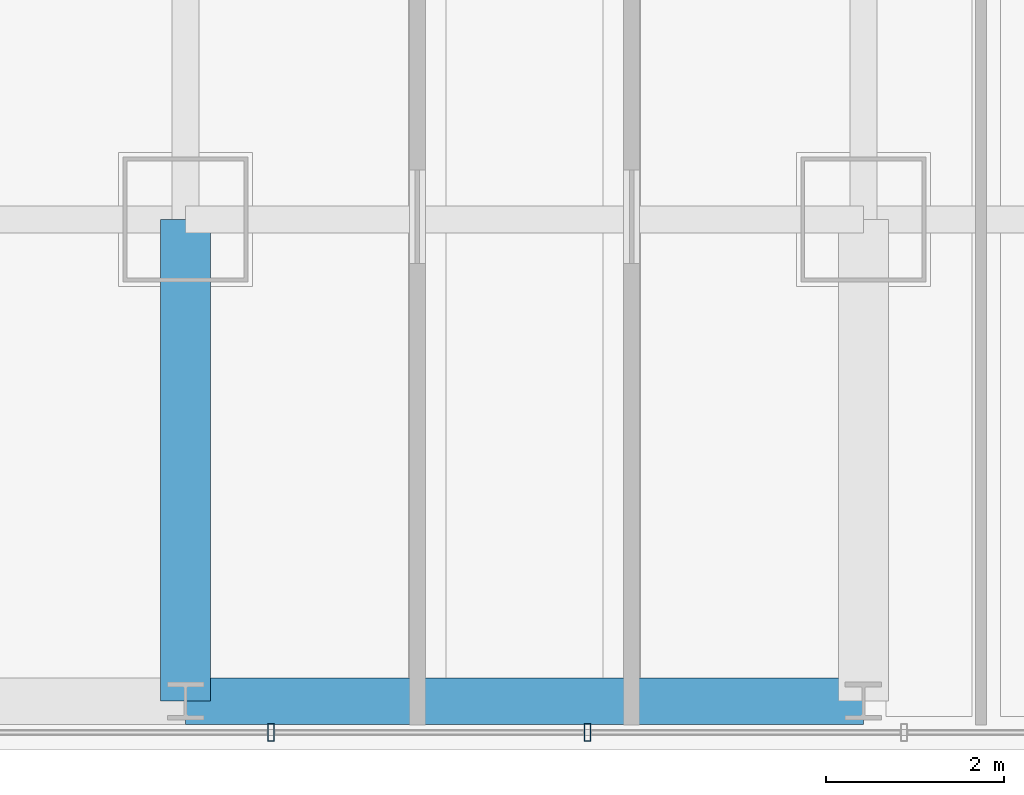
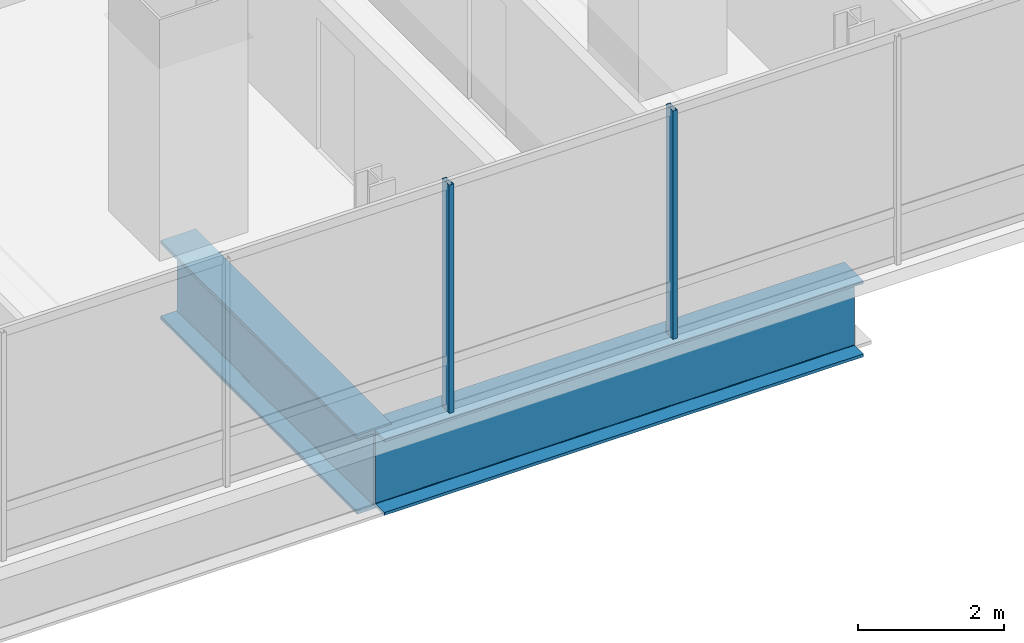
# One storey, part 5 of 36: 2 beams, 2 members, 1 element without a shape of its own.
"""IFC4 building model written with IfcOpenShell, lengths in metres."""

from ifc_helpers import new_model, si_unit, direction, frame, origin, origin_2d, place, context, subcontext, project, spatial, hollow_rectangle, i_section, extrude, material, material_profile, profile_set, type_object, element, aggregate, save


model = new_model("IFC4")

# Units and contexts
model_context = context("Model", 3, precision=1e-05, world=origin(), true_north=direction((0.0, 1.0)))
body_context = subcontext(model_context, "Body", "Model", "MODEL_VIEW")
ifc_project = project(units=[si_unit("LENGTHUNIT", "METRE"), si_unit("AREAUNIT", "SQUARE_METRE"), si_unit("VOLUMEUNIT", "CUBIC_METRE"), si_unit("PLANEANGLEUNIT", "RADIAN"), si_unit("MASSUNIT", "GRAM", prefix="KILO")], contexts=[model_context])

# Site, building, storey
site_placement = place(None, origin())
site = spatial("IfcSite", under=ifc_project, at=site_placement, CompositionType="ELEMENT")
building_placement = place(site_placement, origin())
building = spatial("IfcBuilding", under=site, at=building_placement, Name="Punatoya Terracotta Tower", CompositionType="ELEMENT")
storey_placement = place(building_placement, frame((0.0, 0.0, 228.89990234375)))
storey = spatial("IfcBuildingStorey", under=building, at=storey_placement, Name="L54", CompositionType="ELEMENT", Elevation=228.89990234375)

# Beams
ifc_material_1 = material(Name="Steel S460", Category="steel")
ifc_material_profile_1 = material_profile(ifc_material_1, i_section(OverallWidth=0.56005859375, OverallDepth=1.320068359375, WebThickness=0.035888671875, FlangeThickness=0.054931640625, FilletRadius=0.01806640625, at=origin_2d()))
ifc_profile_set_1 = profile_set([ifc_material_profile_1], Name="Steel S460")
beam_type_1 = type_object("IfcBeamType", Name="BM-TG-BLK", PredefinedType="BEAM", material=ifc_profile_set_1)
beam_1_placement = place(storey_placement, frame((-3.800048828125, -22.89990234375, -0.8798828125), z_axis=(0.0, 1.0, 0.0), x_axis=(-1.0, 0.0, 0.0)))
element("IfcBeam", 1, at=beam_1_placement, inside=storey, type_object=beam_type_1, Name="BM-L54-CANT-S2", PredefinedType="BEAM", context=body_context, shape_type="SweptSolid", body=[
    extrude(i_section(OverallWidth=0.56005859375, OverallDepth=1.320068359375, WebThickness=0.035888671875, FlangeThickness=0.054931640625, FilletRadius=0.01806640625, at=origin_2d()), origin(), (0.0, 0.0, 1.0), 5.39990234375),
])
ifc_material_profile_2 = material_profile(ifc_material_1, i_section(OverallWidth=0.52001953125, OverallDepth=1.280029296875, WebThickness=0.031982421875, FlangeThickness=0.050048828125, FilletRadius=0.01806640625, at=origin_2d()))
ifc_profile_set_2 = profile_set([ifc_material_profile_2], Name="Steel S460")
beam_type_2 = type_object("IfcBeamType", Name="BM-TG-NCK", PredefinedType="BEAM", material=ifc_profile_set_2)
beam_2_placement = place(storey_placement, frame((-3.800048828125, -22.89990234375, -0.85986328125), z_axis=(1.0, 0.0, 0.0), x_axis=(0.0, 1.0, 0.0)))
element("IfcBeam", 2, at=beam_2_placement, inside=storey, type_object=beam_type_2, Name="BM-L54-PER-S2", PredefinedType="BEAM", context=body_context, shape_type="SweptSolid", body=[
    extrude(i_section(OverallWidth=0.52001953125, OverallDepth=1.280029296875, WebThickness=0.031982421875, FlangeThickness=0.050048828125, FilletRadius=0.01806640625, at=origin_2d()), origin(), (0.0, 0.0, 1.0), 7.60009765625),
])

# Curtain wall, members
ifc_material_2 = material(Name="Aluminium 6063-T6 + Double Low-E Glass", Category="aluminium")
curtain_wall_type = type_object("IfcCurtainWallType", Name="CW-M2", PredefinedType="NOTDEFINED", material=ifc_material_2)
curtain_wall_placement = place(storey_placement, origin())
curtain_wall = element("IfcCurtainWall", 3, at=curtain_wall_placement, inside=storey, type_object=curtain_wall_type, Name="L54 Curtain Wall CW-L54-S01-1", PredefinedType="NOTDEFINED")
ifc_material_3 = material(Name="Aluminium 6063-T6", Category="aluminium")
ifc_material_profile_3 = material_profile(ifc_material_3, hollow_rectangle(XDim=0.072021484375, YDim=0.195068359375, WallThickness=0.00439453125, at=origin_2d()))
ifc_profile_set_3 = profile_set([ifc_material_profile_3], Name="Aluminium 6063-T6")
member_type = type_object("IfcMemberType", Name="CW-MUL-M2", PredefinedType="MULLION", material=ifc_profile_set_3)
member_1_placement = place(storey_placement, frame((-2.842041015625, -23.25, 0.0), z_axis=(0.0, 0.0, 1.0), x_axis=(1.0, 0.0, 0.0)))
member_1 = element("IfcMember", 4, at=member_1_placement, type_object=member_type, Name="CW-L54-S01-1 Mullion 04", PredefinedType="MULLION", context=body_context, shape_type="SweptSolid", body=[
    extrude(hollow_rectangle(XDim=0.072021484375, YDim=0.195068359375, WallThickness=0.00439453125, at=origin_2d()), origin(), (0.0, 0.0, 1.0), 3.830078125),
])
member_2_placement = place(storey_placement, frame((0.70654296875, -23.25, 0.0), z_axis=(0.0, 0.0, 1.0), x_axis=(1.0, 0.0, 0.0)))
member_2 = element("IfcMember", 5, at=member_2_placement, type_object=member_type, Name="CW-L54-S01-1 Mullion 05", PredefinedType="MULLION", context=body_context, shape_type="SweptSolid", body=[
    extrude(hollow_rectangle(XDim=0.072021484375, YDim=0.195068359375, WallThickness=0.00439453125, at=origin_2d()), origin(), (0.0, 0.0, 1.0), 3.830078125),
])
aggregate(curtain_wall, [member_1, member_2])

save(model, "model.ifc")
